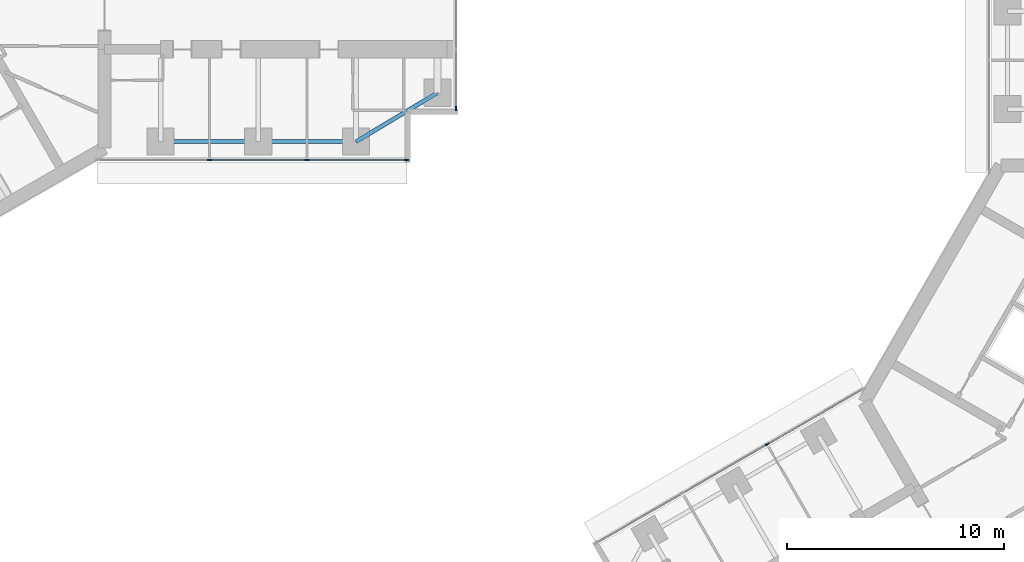
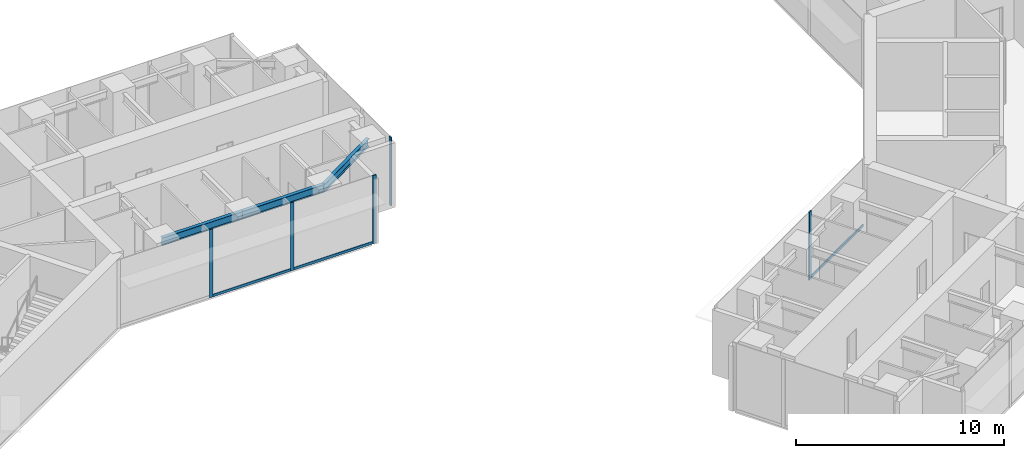
# One storey, part 4 of 23: 8 members, 3 beams, 3 elements without a shape of their own.
"""IFC4 building model written with IfcOpenShell, lengths in metres."""

from ifc_helpers import new_model, si_unit, direction, frame, origin, origin_2d, place, context, subcontext, project, spatial, rectangle, i_section, extrude, material, material_profile, profile_set, type_object, element, aggregate, save


model = new_model("IFC4")

# Units and contexts
model_context = context("Model", 3, precision=1e-05, world=origin(), true_north=direction((0.0, 1.0)))
body_context = subcontext(model_context, "Body", "Model", "MODEL_VIEW")
ifc_project = project(units=[si_unit("LENGTHUNIT", "METRE"), si_unit("AREAUNIT", "SQUARE_METRE"), si_unit("VOLUMEUNIT", "CUBIC_METRE"), si_unit("PLANEANGLEUNIT", "RADIAN"), si_unit("MASSUNIT", "GRAM", prefix="KILO")], contexts=[model_context])

# Site, building, storey
site_placement = place(None, origin())
site = spatial("IfcSite", under=ifc_project, at=site_placement, CompositionType="ELEMENT")
building_placement = place(site_placement, origin())
building = spatial("IfcBuilding", under=site, at=building_placement, Name="Upepo Twin Towers", CompositionType="ELEMENT")
storey_placement = place(building_placement, frame((0.0, 0.0, 153.5)))
storey = spatial("IfcBuildingStorey", under=building, at=storey_placement, Name="L37", CompositionType="ELEMENT", Elevation=153.5)

# Beams
ifc_material_1 = material(Name="Steel S355", Category="steel")
ifc_material_profile_1 = material_profile(ifc_material_1, i_section(OverallWidth=0.1904296875, OverallDepth=0.45703125, WebThickness=0.009033203125, FlangeThickness=0.014404296875, FilletRadius=0.01025390625, at=origin_2d()), Name="UB 457x191x74")
ifc_profile_set_1 = profile_set([ifc_material_profile_1], Name="Steel S355")
beam_type = type_object("IfcBeamType", Name="Beam UB 457x191x74", PredefinedType="BEAM", material=ifc_profile_set_1)
for number, where, z_axis, x_axis, name in (
    (1, (13.5, -6.0, 3.571533203125), (1.0, 0.0, 0.0), (0.0, 1.0, 0.0), "T1 edge beam AR 13.5-18.0"),
    (2, (18.0, -6.0, 3.571533203125), (1.0, 0.0, 0.0), (0.0, 1.0, 0.0), "T1 edge beam AR 18.0-22.5"),
):
    element("IfcBeam", number, at=place(storey_placement, frame(where, z_axis=z_axis, x_axis=x_axis)), inside=storey, type_object=beam_type, Name=name, PredefinedType="BEAM", context=body_context, shape_type="SweptSolid", body=[
        extrude(i_section(OverallWidth=0.1904296875, OverallDepth=0.45703125, WebThickness=0.009033203125, FlangeThickness=0.014404296875, FilletRadius=0.01025390625, at=origin_2d()), origin(), (0.0, 0.0, 1.0), 4.5),
    ])
beam_placement = place(storey_placement, frame((22.5, -6.0, 3.571533203125), z_axis=(0.857492925713, 0.514495755428, 0.0), x_axis=(-0.514495755428, 0.857492925713, 0.0)))
element("IfcBeam", 3, at=beam_placement, inside=storey, type_object=beam_type, Name="T1 nose edge beam AR", PredefinedType="BEAM", context=body_context, shape_type="SweptSolid", body=[
    extrude(i_section(OverallWidth=0.1904296875, OverallDepth=0.45703125, WebThickness=0.009033203125, FlangeThickness=0.014404296875, FilletRadius=0.01025390625, at=origin_2d()), origin(), (0.0, 0.0, 1.0), 4.373291015625),
])

# Curtain wall, members
ifc_material_2 = material(Name="Aluminium and fritted glass", Category="aluminium")
curtain_wall_type = type_object("IfcCurtainWallType", Name="Tower curtain wall TW2, fritted glass", PredefinedType="NOTDEFINED", material=ifc_material_2)
curtain_wall_1_placement = place(storey_placement, origin())
curtain_wall_1 = element("IfcCurtainWall", 4, at=curtain_wall_1_placement, inside=storey, type_object=curtain_wall_type, Name="T1 L37 wing A flank R curtain wall", PredefinedType="NOTDEFINED")
ifc_material_3 = material(Name="Aluminium mullion", Category="aluminium")
ifc_material_profile_2 = material_profile(ifc_material_3, rectangle(XDim=0.06494140625, YDim=0.199951171875, at=origin_2d()), Name="MULLION 65x200")
ifc_profile_set_2 = profile_set([ifc_material_profile_2], Name="Aluminium mullion")
member_type_1 = type_object("IfcMemberType", Name="Mullion 65x200 TW2", PredefinedType="MULLION", material=ifc_profile_set_2)
member_1_placement = place(storey_placement, frame((24.8173828125, -6.85009765625, 0.0), z_axis=(0.0, 0.0, 1.0), x_axis=(0.0, -1.0, 0.0)))
member_1 = element("IfcMember", 5, at=member_1_placement, type_object=member_type_1, Name="T1 L37 wing A flank R curtain wall mullion 1", PredefinedType="MULLION", context=body_context, shape_type="SweptSolid", body=[
    extrude(rectangle(XDim=0.06494140625, YDim=0.199951171875, at=origin_2d()), origin(), (0.0, 0.0, 1.0), 4.0),
])
member_2_placement = place(storey_placement, frame((20.25, -6.85009765625, 0.0), z_axis=(0.0, 0.0, 1.0), x_axis=(0.0, -1.0, 0.0)))
member_2 = element("IfcMember", 6, at=member_2_placement, type_object=member_type_1, Name="T1 L37 wing A flank R curtain wall mullion 2", PredefinedType="MULLION", context=body_context, shape_type="SweptSolid", body=[
    extrude(rectangle(XDim=0.06494140625, YDim=0.199951171875, at=origin_2d()), origin(), (0.0, 0.0, 1.0), 4.0),
])
member_3_placement = place(storey_placement, frame((15.75, -6.85009765625, 0.0), z_axis=(0.0, 0.0, 1.0), x_axis=(0.0, -1.0, 0.0)))
member_3 = element("IfcMember", 7, at=member_3_placement, type_object=member_type_1, Name="T1 L37 wing A flank R curtain wall mullion 3", PredefinedType="MULLION", context=body_context, shape_type="SweptSolid", body=[
    extrude(rectangle(XDim=0.06494140625, YDim=0.199951171875, at=origin_2d()), origin(), (0.0, 0.0, 1.0), 4.0),
])

# Curtain wall, member
curtain_wall_2_placement = place(storey_placement, origin())
curtain_wall_2 = element("IfcCurtainWall", 8, at=curtain_wall_2_placement, inside=storey, type_object=curtain_wall_type, Name="T1 L37 wing A nose curtain wall", PredefinedType="NOTDEFINED")
member_4_placement = place(storey_placement, frame((27.10009765625, -4.467529296875, 0.0), z_axis=(0.0, 0.0, 1.0), x_axis=(-1.0, 0.0, 0.0)))
member_4 = element("IfcMember", 9, at=member_4_placement, type_object=member_type_1, Name="T1 L37 wing A nose curtain wall mullion 1", PredefinedType="MULLION", context=body_context, shape_type="SweptSolid", body=[
    extrude(rectangle(XDim=0.06494140625, YDim=0.199951171875, at=origin_2d()), origin(), (0.0, 0.0, 1.0), 4.0),
])
aggregate(curtain_wall_2, [member_4])

curtain_wall_3_placement = place(storey_placement, origin())
curtain_wall_3 = element("IfcCurtainWall", 10, at=curtain_wall_3_placement, inside=storey, type_object=curtain_wall_type, Name="T2 L37 wing B flank R curtain wall", PredefinedType="NOTDEFINED")
member_5_placement = place(storey_placement, frame((41.43505859375, -19.942626953125, 0.0), z_axis=(0.0, 0.0, 1.0), x_axis=(-0.500000010308, 0.866025397833, 0.0)))
member_5 = element("IfcMember", 11, at=member_5_placement, type_object=member_type_1, Name="T2 L37 wing B flank R curtain wall mullion 3", PredefinedType="MULLION", context=body_context, shape_type="SweptSolid", body=[
    extrude(rectangle(XDim=0.06494140625, YDim=0.199951171875, at=origin_2d()), origin(), (0.0, 0.0, 1.0), 4.0),
])

# Member
ifc_material_4 = material(Name="Aluminium transom", Category="aluminium")
ifc_material_profile_3 = material_profile(ifc_material_4, rectangle(XDim=0.06494140625, YDim=0.14990234375, at=origin_2d()), Name="TRANSOM 65x150")
ifc_profile_set_3 = profile_set([ifc_material_profile_3], Name="Aluminium transom")
member_type_2 = type_object("IfcMemberType", Name="Transom 65x150 TW2", PredefinedType="USERDEFINED", material=ifc_profile_set_3)
member_6_placement = place(storey_placement, frame((24.784912109375, -6.85009765625, 0.074951171875), z_axis=(-1.0, 0.0, 0.0), x_axis=(0.0, -1.0, 0.0)))
member_6 = element("IfcMember", 12, at=member_6_placement, type_object=member_type_2, Name="T1 L37 wing A flank R curtain wall transom 1", ObjectType="TRANSOM", PredefinedType="USERDEFINED", context=body_context, shape_type="SweptSolid", body=[
    extrude(rectangle(XDim=0.06494140625, YDim=0.14990234375, at=origin_2d()), origin(), (0.0, 0.0, 1.0), 4.50244140625),
])

member_7_placement = place(storey_placement, frame((20.217529296875, -6.85009765625, 0.074951171875), z_axis=(-1.0, 0.0, 0.0), x_axis=(0.0, -1.0, 0.0)))
member_7 = element("IfcMember", 13, at=member_7_placement, type_object=member_type_2, Name="T1 L37 wing A flank R curtain wall transom 2", ObjectType="TRANSOM", PredefinedType="USERDEFINED", context=body_context, shape_type="SweptSolid", body=[
    extrude(rectangle(XDim=0.06494140625, YDim=0.14990234375, at=origin_2d()), origin(), (0.0, 0.0, 1.0), 4.43505859375),
])

aggregate(curtain_wall_1, [member_1, member_2, member_3, member_6, member_7])

member_8_placement = place(storey_placement, frame((41.463134765625, -19.926513671875, 0.074951171875), z_axis=(0.866033897268, 0.499985288567, 0.0), x_axis=(-0.499985288567, 0.866033897268, 0.0)))
member_8 = element("IfcMember", 14, at=member_8_placement, type_object=member_type_2, Name="T2 L37 wing B flank R curtain wall transom 3", ObjectType="TRANSOM", PredefinedType="USERDEFINED", context=body_context, shape_type="SweptSolid", body=[
    extrude(rectangle(XDim=0.06494140625, YDim=0.14990234375, at=origin_2d()), origin(), (0.0, 0.0, 1.0), 5.065673828125),
])

aggregate(curtain_wall_3, [member_5, member_8])

save(model, "model.ifc")
